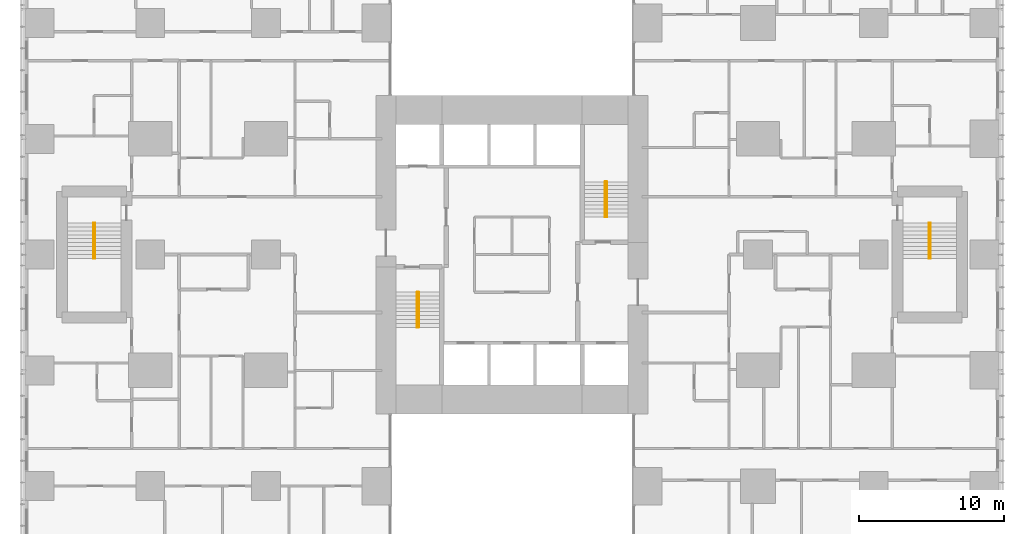
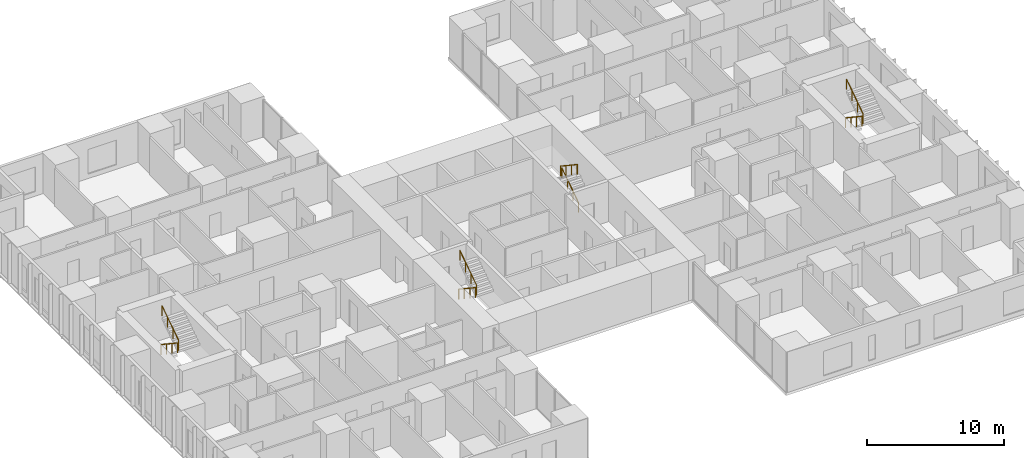
# One storey, part 20 of 20: 8 railings.
"""IFC4 building model written with IfcOpenShell, lengths in metres."""

from ifc_helpers import new_model, si_unit, direction, frame, origin, origin_2d, place, context, subcontext, project, spatial, circle, extrude, material, type_object, element, save


model = new_model("IFC4")

# Units and contexts
model_context = context("Model", 3, precision=1e-05, world=origin(), true_north=direction((0.0, 1.0)))
body_context = subcontext(model_context, "Body", "Model", "MODEL_VIEW")
ifc_project = project(units=[si_unit("LENGTHUNIT", "METRE"), si_unit("AREAUNIT", "SQUARE_METRE"), si_unit("VOLUMEUNIT", "CUBIC_METRE"), si_unit("PLANEANGLEUNIT", "RADIAN"), si_unit("MASSUNIT", "GRAM", prefix="KILO")], contexts=[model_context])

# Site, building, storey
site_placement = place(None, origin())
site = spatial("IfcSite", under=ifc_project, at=site_placement, CompositionType="ELEMENT")
building_placement = place(site_placement, origin())
building = spatial("IfcBuilding", under=site, at=building_placement, Name="Cleftline Residences", CompositionType="ELEMENT")
storey_placement = place(building_placement, frame((0.0, 0.0, 135.800048828125)))
storey = spatial("IfcBuildingStorey", under=building, at=storey_placement, Name="L35", CompositionType="ELEMENT", Elevation=135.800048828125)

# Railings
ifc_material = material(Name="Stainless steel", Category="steel")
railing_type = type_object("IfcRailingType", Name="HANDRAIL 900", PredefinedType="HANDRAIL", material=ifc_material)
railing_1_placement = place(storey_placement, frame((26.449951171875, 21.39990234375, 0.179931640625)))
element("IfcRailing", 1, at=railing_1_placement, inside=storey, type_object=railing_type, Name="Stair handrail", PredefinedType="HANDRAIL", context=body_context, shape_type="SweptSolid", body=[
    extrude(circle(Radius=0.02392578125, at=origin_2d()), frame((0.0, 0.0, 0.8759765625), z_axis=(0.0, -0.832024571796, 0.554738778101), x_axis=(1.0, 0.0, 0.0)), (0.0, 0.0, 1.0), 2.92041015625),
    extrude(circle(Radius=0.02099609375, at=origin_2d()), origin(), (0.0, 0.0, 1.0), 0.851806640625),
    extrude(circle(Radius=0.02099609375, at=origin_2d()), frame((0.0, -0.81005859375, 0.5400390625)), (0.0, 0.0, 1.0), 0.851806640625),
    extrude(circle(Radius=0.02099609375, at=origin_2d()), frame((0.0, -1.619873046875, 1.080078125)), (0.0, 0.0, 1.0), 0.851806640625),
    extrude(circle(Radius=0.02099609375, at=origin_2d()), frame((0.0, -2.429931640625, 1.6201171875)), (0.0, 0.0, 1.0), 0.851806640625),
])
railing_2_placement = place(storey_placement, frame((26.550048828125, 18.969970703125, 1.97998046875)))
element("IfcRailing", 2, at=railing_2_placement, inside=storey, type_object=railing_type, Name="Stair handrail", PredefinedType="HANDRAIL", context=body_context, shape_type="SweptSolid", body=[
    extrude(circle(Radius=0.02392578125, at=origin_2d()), frame((0.0, 0.0, 0.8759765625), z_axis=(0.0, 0.832063155534, 0.554680903946), x_axis=(-1.0, 0.0, 0.0)), (0.0, 0.0, 1.0), 2.92041015625),
    extrude(circle(Radius=0.02099609375, at=origin_2d()), origin(), (0.0, 0.0, 1.0), 0.851806640625),
    extrude(circle(Radius=0.02099609375, at=origin_2d()), frame((0.0, 0.81005859375, 0.5400390625)), (0.0, 0.0, 1.0), 0.851806640625),
    extrude(circle(Radius=0.02099609375, at=origin_2d()), frame((0.0, 1.619873046875, 1.079833984375)), (0.0, 0.0, 1.0), 0.851806640625),
    extrude(circle(Radius=0.02099609375, at=origin_2d()), frame((0.0, 2.429931640625, 1.619873046875)), (0.0, 0.0, 1.0), 0.851806640625),
])
railing_3_placement = place(storey_placement, frame((39.550048828125, 26.60009765625, 0.179931640625)))
element("IfcRailing", 3, at=railing_3_placement, inside=storey, type_object=railing_type, Name="Stair handrail", PredefinedType="HANDRAIL", context=body_context, shape_type="SweptSolid", body=[
    extrude(circle(Radius=0.02392578125, at=origin_2d()), frame((0.0, 0.0, 0.8759765625), z_axis=(0.0, 0.832024571796, 0.554738778101), x_axis=(-1.0, 0.0, 0.0)), (0.0, 0.0, 1.0), 2.92041015625),
    extrude(circle(Radius=0.02099609375, at=origin_2d()), origin(), (0.0, 0.0, 1.0), 0.851806640625),
    extrude(circle(Radius=0.02099609375, at=origin_2d()), frame((0.0, 0.81005859375, 0.5400390625)), (0.0, 0.0, 1.0), 0.851806640625),
    extrude(circle(Radius=0.02099609375, at=origin_2d()), frame((0.0, 1.619873046875, 1.080078125)), (0.0, 0.0, 1.0), 0.851806640625),
    extrude(circle(Radius=0.02099609375, at=origin_2d()), frame((0.0, 2.429931640625, 1.6201171875)), (0.0, 0.0, 1.0), 0.851806640625),
])
railing_4_placement = place(storey_placement, frame((39.449951171875, 29.030029296875, 1.97998046875)))
element("IfcRailing", 4, at=railing_4_placement, inside=storey, type_object=railing_type, Name="Stair handrail", PredefinedType="HANDRAIL", context=body_context, shape_type="SweptSolid", body=[
    extrude(circle(Radius=0.02392578125, at=origin_2d()), frame((0.0, 0.0, 0.8759765625), z_axis=(0.0, -0.832063155534, 0.554680903946), x_axis=(1.0, 0.0, 0.0)), (0.0, 0.0, 1.0), 2.92041015625),
    extrude(circle(Radius=0.02099609375, at=origin_2d()), origin(), (0.0, 0.0, 1.0), 0.851806640625),
    extrude(circle(Radius=0.02099609375, at=origin_2d()), frame((0.0, -0.81005859375, 0.5400390625)), (0.0, 0.0, 1.0), 0.851806640625),
    extrude(circle(Radius=0.02099609375, at=origin_2d()), frame((0.0, -1.619873046875, 1.079833984375)), (0.0, 0.0, 1.0), 0.851806640625),
    extrude(circle(Radius=0.02099609375, at=origin_2d()), frame((0.0, -2.429931640625, 1.619873046875)), (0.0, 0.0, 1.0), 0.851806640625),
])
railing_5_placement = place(storey_placement, frame((61.824951171875, 26.175048828125, 0.179931640625)))
element("IfcRailing", 5, at=railing_5_placement, inside=storey, type_object=railing_type, Name="Stair handrail", PredefinedType="HANDRAIL", context=body_context, shape_type="SweptSolid", body=[
    extrude(circle(Radius=0.02392578125, at=origin_2d()), frame((0.0, 0.0, 0.8759765625), z_axis=(0.0, -0.832024571796, 0.554738778101), x_axis=(1.0, 0.0, 0.0)), (0.0, 0.0, 1.0), 2.92041015625),
    extrude(circle(Radius=0.02099609375, at=origin_2d()), origin(), (0.0, 0.0, 1.0), 0.851806640625),
    extrude(circle(Radius=0.02099609375, at=origin_2d()), frame((0.0, -0.81005859375, 0.5400390625)), (0.0, 0.0, 1.0), 0.851806640625),
    extrude(circle(Radius=0.02099609375, at=origin_2d()), frame((0.0, -1.619873046875, 1.080078125)), (0.0, 0.0, 1.0), 0.851806640625),
    extrude(circle(Radius=0.02099609375, at=origin_2d()), frame((0.0, -2.429931640625, 1.6201171875)), (0.0, 0.0, 1.0), 0.851806640625),
])
railing_6_placement = place(storey_placement, frame((61.925048828125, 23.7451171875, 1.97998046875)))
element("IfcRailing", 6, at=railing_6_placement, inside=storey, type_object=railing_type, Name="Stair handrail", PredefinedType="HANDRAIL", context=body_context, shape_type="SweptSolid", body=[
    extrude(circle(Radius=0.02392578125, at=origin_2d()), frame((0.0, 0.0, 0.8759765625), z_axis=(0.0, 0.832063155534, 0.554680903946), x_axis=(-1.0, 0.0, 0.0)), (0.0, 0.0, 1.0), 2.92041015625),
    extrude(circle(Radius=0.02099609375, at=origin_2d()), origin(), (0.0, 0.0, 1.0), 0.851806640625),
    extrude(circle(Radius=0.02099609375, at=origin_2d()), frame((0.0, 0.81005859375, 0.5400390625)), (0.0, 0.0, 1.0), 0.851806640625),
    extrude(circle(Radius=0.02099609375, at=origin_2d()), frame((0.0, 1.619873046875, 1.079833984375)), (0.0, 0.0, 1.0), 0.851806640625),
    extrude(circle(Radius=0.02099609375, at=origin_2d()), frame((0.0, 2.429931640625, 1.619873046875)), (0.0, 0.0, 1.0), 0.851806640625),
])
railing_7_placement = place(storey_placement, frame((4.074951171875, 26.175048828125, 0.179931640625)))
element("IfcRailing", 7, at=railing_7_placement, inside=storey, type_object=railing_type, Name="Stair handrail", PredefinedType="HANDRAIL", context=body_context, shape_type="SweptSolid", body=[
    extrude(circle(Radius=0.02392578125, at=origin_2d()), frame((0.0, 0.0, 0.8759765625), z_axis=(0.0, -0.832024571796, 0.554738778101), x_axis=(1.0, 0.0, 0.0)), (0.0, 0.0, 1.0), 2.92041015625),
    extrude(circle(Radius=0.02099609375, at=origin_2d()), origin(), (0.0, 0.0, 1.0), 0.851806640625),
    extrude(circle(Radius=0.02099609375, at=origin_2d()), frame((0.0, -0.81005859375, 0.5400390625)), (0.0, 0.0, 1.0), 0.851806640625),
    extrude(circle(Radius=0.02099609375, at=origin_2d()), frame((0.0, -1.619873046875, 1.080078125)), (0.0, 0.0, 1.0), 0.851806640625),
    extrude(circle(Radius=0.02099609375, at=origin_2d()), frame((0.0, -2.429931640625, 1.6201171875)), (0.0, 0.0, 1.0), 0.851806640625),
])
railing_8_placement = place(storey_placement, frame((4.175048828125, 23.7451171875, 1.97998046875)))
element("IfcRailing", 8, at=railing_8_placement, inside=storey, type_object=railing_type, Name="Stair handrail", PredefinedType="HANDRAIL", context=body_context, shape_type="SweptSolid", body=[
    extrude(circle(Radius=0.02392578125, at=origin_2d()), frame((0.0, 0.0, 0.8759765625), z_axis=(0.0, 0.832063155534, 0.554680903946), x_axis=(-1.0, 0.0, 0.0)), (0.0, 0.0, 1.0), 2.92041015625),
    extrude(circle(Radius=0.02099609375, at=origin_2d()), origin(), (0.0, 0.0, 1.0), 0.851806640625),
    extrude(circle(Radius=0.02099609375, at=origin_2d()), frame((0.0, 0.81005859375, 0.5400390625)), (0.0, 0.0, 1.0), 0.851806640625),
    extrude(circle(Radius=0.02099609375, at=origin_2d()), frame((0.0, 1.619873046875, 1.079833984375)), (0.0, 0.0, 1.0), 0.851806640625),
    extrude(circle(Radius=0.02099609375, at=origin_2d()), frame((0.0, 2.429931640625, 1.619873046875)), (0.0, 0.0, 1.0), 0.851806640625),
])

save(model, "model.ifc")
